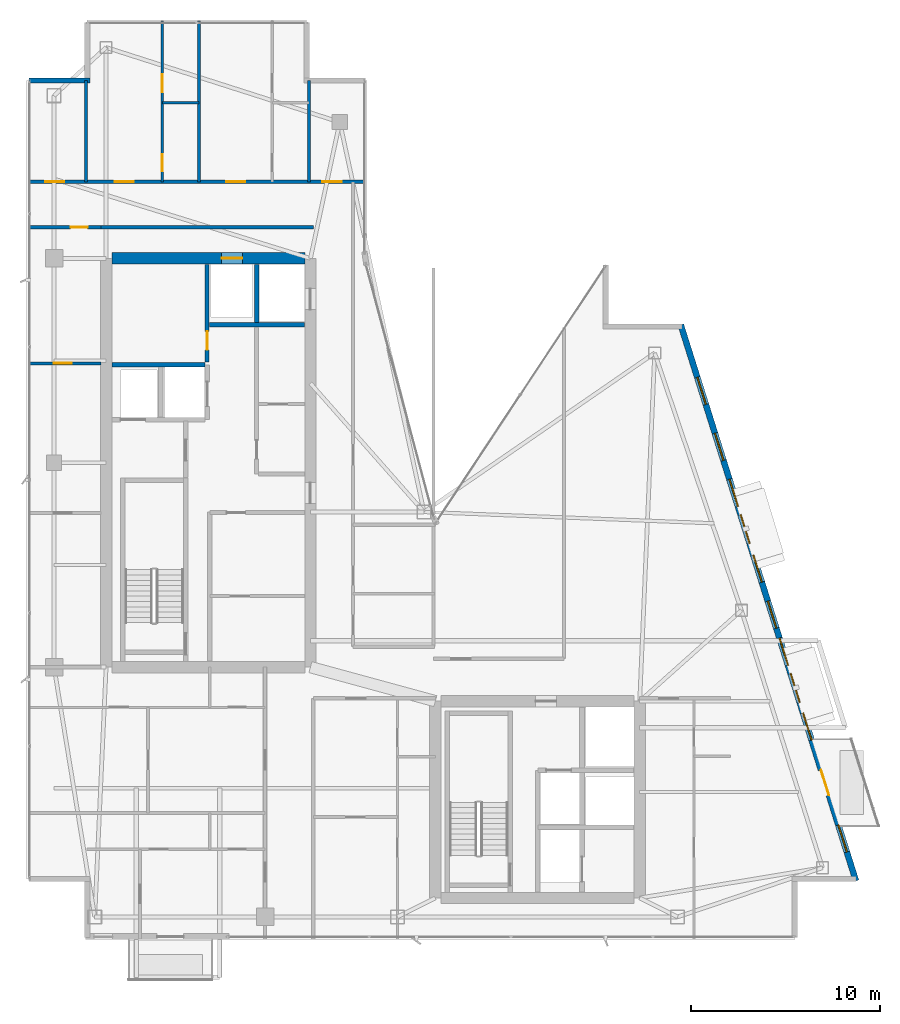
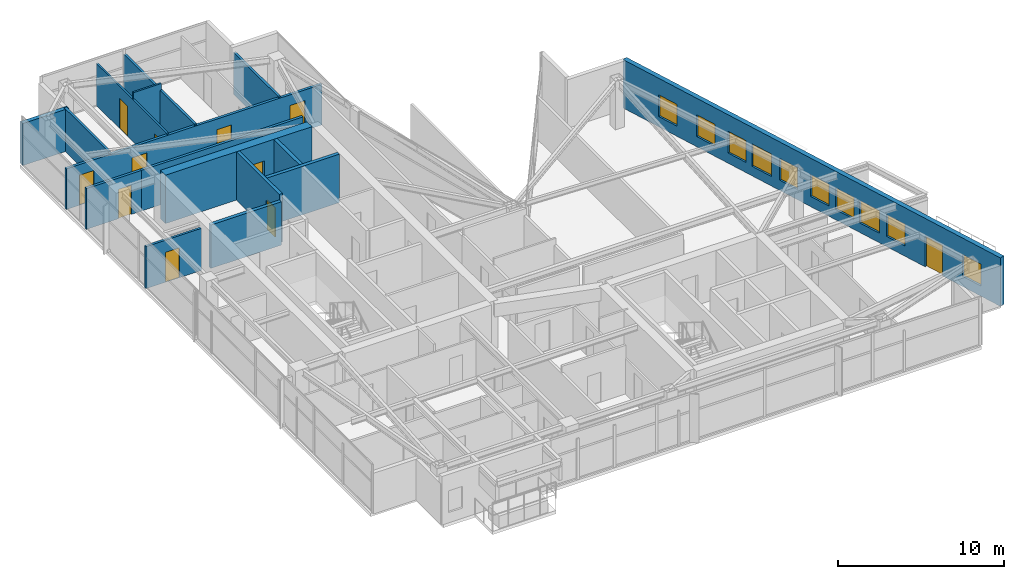
# One storey, part 25 of 28: 16 walls, 11 doors, 10 windows, 21 openings.
"""IFC4 building model written with IfcOpenShell, lengths in metres."""

from ifc_helpers import new_model, si_unit, direction, frame, frame_2d, origin, place, context, subcontext, project, spatial, rectangle, extrude, material, layer, layer_set, type_object, element, fill, save


model = new_model("IFC4")

# Units and contexts
model_context = context("Model", 3, precision=1e-05, world=origin(), true_north=direction((0.0, 1.0)))
body_context = subcontext(model_context, "Body", "Model", "MODEL_VIEW")
ifc_project = project(units=[si_unit("LENGTHUNIT", "METRE"), si_unit("AREAUNIT", "SQUARE_METRE"), si_unit("VOLUMEUNIT", "CUBIC_METRE"), si_unit("PLANEANGLEUNIT", "RADIAN"), si_unit("MASSUNIT", "GRAM", prefix="KILO")], contexts=[model_context])

# Site, building, storey
site_placement = place(None, origin())
site = spatial("IfcSite", under=ifc_project, at=site_placement, CompositionType="ELEMENT")
building_placement = place(site_placement, origin())
building = spatial("IfcBuilding", under=site, at=building_placement, Name="Calvorn Quay Hotel", CompositionType="ELEMENT")
storey_placement = place(building_placement, frame((0.0, 0.0, 267.300048828125)))
storey = spatial("IfcBuildingStorey", under=building, at=storey_placement, Name="L66", CompositionType="ELEMENT", Elevation=267.300048828125)

# Wall, opening, door
ifc_material_1 = material(Name="Concrete C45", Category="concrete")
ifc_layer_1 = layer(ifc_material_1, 0.60009765625)
ifc_layer_set_1 = layer_set([ifc_layer_1], Name="WL-CORE-600")
wall_type_1 = type_object("IfcWallType", Name="WL-CORE-600", PredefinedType="SHEAR", material=ifc_layer_set_1)
wall_1_placement = place(storey_placement, frame((4.5, 38.39990234375, 0.0), z_axis=(0.0, 0.0, 1.0), x_axis=(1.0, 0.0, 0.0)))
wall_1 = element("IfcWall", 1, at=wall_1_placement, inside=storey, type_object=wall_type_1, Name="West Core Shear Wall N (L66)", PredefinedType="SHEAR", context=body_context, shape_type="SweptSolid", body=[
    extrude(rectangle(XDim=10.199951171875, YDim=0.60009765625, at=frame_2d((5.10009765625, 0.0))), origin(), (0.0, 0.0, 1.0), 3.56005859375),
])
opening_1_placement = place(wall_1_placement, frame((5.800048828125, 0.0, 0.0)))
opening_1 = element("IfcOpeningElement", 2, at=opening_1_placement, cuts=wall_1, Name="Opening LD-L66-H2", PredefinedType="OPENING", context=body_context, shape_type="SweptSolid", body=[
    extrude(rectangle(XDim=1.10009765625, YDim=2.199951171875, at=frame_2d((0.550048828125, 1.10009765625))), frame((0.0, 0.31005859375, 0.0), z_axis=(0.0, -1.0, 0.0), x_axis=(1.0, 0.0, 0.0)), (0.0, 0.0, 1.0), 0.6201171875),
])
ifc_material_2 = material(Name="Brushed Stainless Steel Sliding Lift Landing Door", Category="steel")
door_type_1 = type_object("IfcDoorType", Name="DR-LIFT-PASS-1100", OperationType="NOTDEFINED", PredefinedType="DOOR", material=ifc_material_2)
door_1_placement = place(opening_1_placement, origin())
door_1 = element("IfcDoor", 3, at=door_1_placement, inside=storey, type_object=door_type_1, Name="High-Rise Lift PL-H2 Landing Door (L66)", OperationType="DOUBLE_DOOR_SLIDING", OverallHeight=2.199951171875, OverallWidth=1.10009765625, PredefinedType="DOOR", context=body_context, shape_type="SweptSolid", body=[
    extrude(rectangle(XDim=1.10009765625, YDim=2.199951171875, at=frame_2d((0.550048828125, 1.10009765625))), frame((0.0, 0.02490234375, 0.0), z_axis=(0.0, -1.0, 0.0), x_axis=(1.0, 0.0, 0.0)), (0.0, 0.0, 1.0), 0.050048828125),
])
fill(opening_1, door_1)

ifc_material_3 = material(Name="Acoustic Fireboard Steel-Stud Partition", Category="steel")
ifc_layer_2 = layer(ifc_material_3, 0.179931640625)
ifc_layer_set_2 = layer_set([ifc_layer_2], Name="WL-CORR-FIRE-180")
wall_type_2 = type_object("IfcWallType", Name="WL-CORR-FIRE-180", PredefinedType="PARTITIONING", material=ifc_layer_set_2)
wall_2_placement = place(storey_placement, frame((0.080078125, 40.050048828125, 0.0), z_axis=(0.0, 0.0, 1.0), x_axis=(1.0, 0.0, 0.0)))
wall_2 = element("IfcWall", 4, at=wall_2_placement, inside=storey, type_object=wall_type_2, Name="Partition Wall L66-WL-WBAY-N-DOOR", PredefinedType="PARTITIONING", context=body_context, shape_type="SweptSolid", body=[
    extrude(rectangle(XDim=3.849853515625, YDim=0.179931640625, at=frame_2d((1.9248046875, 0.0))), origin(), (0.0, 0.0, 1.0), 2.989990234375),
])
opening_2_placement = place(wall_2_placement, frame((2.25, 0.0, 0.0)))
opening_2 = element("IfcOpeningElement", 5, at=opening_2_placement, cuts=wall_2, Name="Opening D-L66-WBN", PredefinedType="OPENING", context=body_context, shape_type="SweptSolid", body=[
    extrude(rectangle(XDim=0.89990234375, YDim=2.14990234375, at=frame_2d((0.449951171875, 1.074951171875))), frame((0.0, 0.099853515625, 0.0), z_axis=(0.0, -1.0, 0.0), x_axis=(1.0, 0.0, 0.0)), (0.0, 0.0, 1.0), 0.199951171875),
])
ifc_material_4 = material(Name="Moisture-Sealed Timber En-Suite Door", Category="wood")
door_type_2 = type_object("IfcDoorType", Name="DR-ENSUITE-900", OperationType="NOTDEFINED", PredefinedType="DOOR", material=ifc_material_4)
door_2_placement = place(opening_2_placement, origin())
door_2 = element("IfcDoor", 6, at=door_2_placement, inside=storey, type_object=door_type_2, Name="West North Bay Door (L66)", OperationType="SINGLE_SWING_LEFT", OverallHeight=2.14990234375, OverallWidth=0.89990234375, PredefinedType="DOOR", context=body_context, shape_type="SweptSolid", body=[
    extrude(rectangle(XDim=0.89990234375, YDim=2.14990234375, at=frame_2d((0.449951171875, 1.074951171875))), frame((0.0, 0.02490234375, 0.0), z_axis=(0.0, -1.0, 0.0), x_axis=(1.0, 0.0, 0.0)), (0.0, 0.0, 1.0), 0.050048828125),
])
fill(opening_2, door_2)

# Wall, openings, doors
wall_3_placement = place(storey_placement, frame((0.080078125, 42.449951171875, 0.0), z_axis=(0.0, 0.0, 1.0), x_axis=(1.0, 0.0, 0.0)))
wall_3 = element("IfcWall", 7, at=wall_3_placement, inside=storey, type_object=wall_type_2, Name="Partition Wall L66-WL-CORR-NW-N", PredefinedType="PARTITIONING", context=body_context, shape_type="SweptSolid", body=[
    extrude(rectangle(XDim=17.77001953125, YDim=0.179931640625, at=frame_2d((8.885009765625, 0.0))), origin(), (0.0, 0.0, 1.0), 2.989990234375),
])
opening_3_placement = place(wall_3_placement, frame((0.89990234375, 0.0, 0.0)))
opening_3 = element("IfcOpeningElement", 8, at=opening_3_placement, cuts=wall_3, Name="Opening D-L66-NWW", PredefinedType="OPENING", context=body_context, shape_type="SweptSolid", body=[
    extrude(rectangle(XDim=1.02001953125, YDim=2.199951171875, at=frame_2d((0.510009765625, 1.10009765625))), frame((0.0, 0.099853515625, 0.0), z_axis=(0.0, -1.0, 0.0), x_axis=(1.0, 0.0, 0.0)), (0.0, 0.0, 1.0), 0.199951171875),
])
opening_4_placement = place(wall_3_placement, frame((4.570068359375, 0.0, 0.0)))
opening_4 = element("IfcOpeningElement", 9, at=opening_4_placement, cuts=wall_3, Name="Opening D-L66-U04", PredefinedType="OPENING", context=body_context, shape_type="SweptSolid", body=[
    extrude(rectangle(XDim=1.02001953125, YDim=2.199951171875, at=frame_2d((0.510009765625, 1.10009765625))), frame((0.0, 0.099853515625, 0.0), z_axis=(0.0, -1.0, 0.0), x_axis=(1.0, 0.0, 0.0)), (0.0, 0.0, 1.0), 0.199951171875),
])
opening_5_placement = place(wall_3_placement, frame((10.4599609375, 0.0, 0.0)))
opening_5 = element("IfcOpeningElement", 10, at=opening_5_placement, cuts=wall_3, Name="Opening D-L66-U05", PredefinedType="OPENING", context=body_context, shape_type="SweptSolid", body=[
    extrude(rectangle(XDim=1.02001953125, YDim=2.199951171875, at=frame_2d((0.510009765625, 1.10009765625))), frame((0.0, 0.099853515625, 0.0), z_axis=(0.0, -1.0, 0.0), x_axis=(1.0, 0.0, 0.0)), (0.0, 0.0, 1.0), 0.199951171875),
])
opening_6_placement = place(wall_3_placement, frame((15.550048828125, 0.0, 0.0)))
opening_6 = element("IfcOpeningElement", 11, at=opening_6_placement, cuts=wall_3, Name="Opening D-L66-NWE", PredefinedType="OPENING", context=body_context, shape_type="SweptSolid", body=[
    extrude(rectangle(XDim=1.02001953125, YDim=2.199951171875, at=frame_2d((0.510009765625, 1.10009765625))), frame((0.0, 0.099853515625, 0.0), z_axis=(0.0, -1.0, 0.0), x_axis=(1.0, 0.0, 0.0)), (0.0, 0.0, 1.0), 0.199951171875),
])
ifc_material_5 = material(Name="Solid-Core Walnut Veneer Hotel Fire Door")
door_type_3 = type_object("IfcDoorType", Name="DR-GUEST-ENTRY-1020", OperationType="NOTDEFINED", PredefinedType="DOOR", material=ifc_material_5)
door_3_placement = place(opening_3_placement, origin())
door_3 = element("IfcDoor", 12, at=door_3_placement, inside=storey, type_object=door_type_3, Name="West Corner Study Door (L66)", OperationType="SINGLE_SWING_LEFT", OverallHeight=2.199951171875, OverallWidth=1.02001953125, PredefinedType="DOOR", context=body_context, shape_type="SweptSolid", body=[
    extrude(rectangle(XDim=1.02001953125, YDim=2.199951171875, at=frame_2d((0.510009765625, 1.10009765625))), frame((0.0, 0.02490234375, 0.0), z_axis=(0.0, -1.0, 0.0), x_axis=(1.0, 0.0, 0.0)), (0.0, 0.0, 1.0), 0.050048828125),
])
fill(opening_3, door_3)
door_4_placement = place(opening_4_placement, origin())
door_4 = element("IfcDoor", 13, at=door_4_placement, inside=storey, type_object=door_type_3, Name="North-West Unit Door U04 (L66)", OperationType="SINGLE_SWING_RIGHT", OverallHeight=2.199951171875, OverallWidth=1.02001953125, PredefinedType="DOOR", context=body_context, shape_type="SweptSolid", body=[
    extrude(rectangle(XDim=1.02001953125, YDim=2.199951171875, at=frame_2d((0.510009765625, 1.10009765625))), frame((0.0, 0.02490234375, 0.0), z_axis=(0.0, -1.0, 0.0), x_axis=(1.0, 0.0, 0.0)), (0.0, 0.0, 1.0), 0.050048828125),
])
fill(opening_4, door_4)
door_5_placement = place(opening_5_placement, origin())
door_5 = element("IfcDoor", 14, at=door_5_placement, inside=storey, type_object=door_type_3, Name="North-West Unit Door U05 (L66)", OperationType="SINGLE_SWING_LEFT", OverallHeight=2.199951171875, OverallWidth=1.02001953125, PredefinedType="DOOR", context=body_context, shape_type="SweptSolid", body=[
    extrude(rectangle(XDim=1.02001953125, YDim=2.199951171875, at=frame_2d((0.510009765625, 1.10009765625))), frame((0.0, 0.02490234375, 0.0), z_axis=(0.0, -1.0, 0.0), x_axis=(1.0, 0.0, 0.0)), (0.0, 0.0, 1.0), 0.050048828125),
])
fill(opening_5, door_5)
door_6_placement = place(opening_6_placement, origin())
door_6 = element("IfcDoor", 15, at=door_6_placement, inside=storey, type_object=door_type_3, Name="Inner Court Study Door (L66)", OperationType="SINGLE_SWING_RIGHT", OverallHeight=2.199951171875, OverallWidth=1.02001953125, PredefinedType="DOOR", context=body_context, shape_type="SweptSolid", body=[
    extrude(rectangle(XDim=1.02001953125, YDim=2.199951171875, at=frame_2d((0.510009765625, 1.10009765625))), frame((0.0, 0.02490234375, 0.0), z_axis=(0.0, -1.0, 0.0), x_axis=(1.0, 0.0, 0.0)), (0.0, 0.0, 1.0), 0.050048828125),
])
fill(opening_6, door_6)

# Walls
wall_4_placement = place(storey_placement, frame((3.8798828125, 40.050048828125, 0.0), z_axis=(0.0, 0.0, 1.0), x_axis=(1.0, 0.0, 0.0)))
element("IfcWall", 16, at=wall_4_placement, inside=storey, type_object=wall_type_2, Name="Partition Wall L66-WL-W-SPUR-S", PredefinedType="PARTITIONING", context=body_context, shape_type="SweptSolid", body=[
    extrude(rectangle(XDim=11.27001953125, YDim=0.179931640625, at=frame_2d((5.635009765625, 0.0))), origin(), (0.0, 0.0, 1.0), 2.989990234375),
])
ifc_material_6 = material(Name="Moisture-Resistant Tile-Backed Partition")
ifc_layer_3 = layer(ifc_material_6, 0.125)
ifc_layer_set_3 = layer_set([ifc_layer_3], Name="WL-ENSUITE-125")
wall_type_3 = type_object("IfcWallType", Name="WL-ENSUITE-125", PredefinedType="PARTITIONING", material=ifc_layer_set_3)
wall_5_placement = place(storey_placement, frame((7.169921875, 46.6201171875, 0.0), z_axis=(0.0, 0.0, 1.0), x_axis=(1.0, 0.0, 0.0)))
element("IfcWall", 17, at=wall_5_placement, inside=storey, type_object=wall_type_3, Name="Partition Wall L66-WL-U04-BDV", PredefinedType="PARTITIONING", context=body_context, shape_type="SweptSolid", body=[
    extrude(rectangle(XDim=1.93017578125, YDim=0.125, at=frame_2d((0.965087890625, 0.0))), origin(), (0.0, 0.0, 1.0), 3.56005859375),
])

# Wall, openings, doors
wall_6_placement = place(storey_placement, frame((7.169921875, 42.449951171875, 0.0), z_axis=(0.0, 0.0, 1.0), x_axis=(0.0, 1.0, 0.0)))
wall_6 = element("IfcWall", 18, at=wall_6_placement, inside=storey, type_object=wall_type_3, Name="Partition Wall L66-WL-U04-BV", PredefinedType="PARTITIONING", context=body_context, shape_type="SweptSolid", body=[
    extrude(rectangle(XDim=8.489990234375, YDim=0.125, at=frame_2d((4.2451171875, 0.0))), origin(), (0.0, 0.0, 1.0), 3.08984375),
])
opening_7_placement = place(wall_6_placement, frame((0.550048828125, 0.0, 0.0)))
opening_7 = element("IfcOpeningElement", 19, at=opening_7_placement, cuts=wall_6, Name="Opening D-L66-E04", PredefinedType="OPENING", context=body_context, shape_type="SweptSolid", body=[
    extrude(rectangle(XDim=0.89990234375, YDim=2.14990234375, at=frame_2d((0.449951171875, 1.074951171875))), frame((0.0, 0.072509765625, 0.0), z_axis=(0.0, -1.0, 0.0), x_axis=(1.0, 0.0, 0.0)), (0.0, 0.0, 1.0), 0.14501953125),
])
opening_8_placement = place(wall_6_placement, frame((4.719970703125, 0.0, 0.0)))
opening_8 = element("IfcOpeningElement", 20, at=opening_8_placement, cuts=wall_6, Name="Opening D-L66-S04", PredefinedType="OPENING", context=body_context, shape_type="SweptSolid", body=[
    extrude(rectangle(XDim=0.9599609375, YDim=2.199951171875, at=frame_2d((0.47998046875, 1.10009765625))), frame((0.0, 0.072509765625, 0.0), z_axis=(0.0, -1.0, 0.0), x_axis=(1.0, 0.0, 0.0)), (0.0, 0.0, 1.0), 0.14501953125),
])
door_7_placement = place(opening_7_placement, origin())
door_7 = element("IfcDoor", 21, at=door_7_placement, inside=storey, type_object=door_type_2, Name="En-Suite Door 04", OperationType="SINGLE_SWING_LEFT", OverallHeight=2.14990234375, OverallWidth=0.89990234375, PredefinedType="DOOR", context=body_context, shape_type="SweptSolid", body=[
    extrude(rectangle(XDim=0.89990234375, YDim=2.14990234375, at=frame_2d((0.449951171875, 1.074951171875))), frame((0.0, 0.02490234375, 0.0), z_axis=(0.0, -1.0, 0.0), x_axis=(1.0, 0.0, 0.0)), (0.0, 0.0, 1.0), 0.050048828125),
])
fill(opening_7, door_7)
ifc_material_7 = material(Name="Solid Timber Internal Suite Door", Category="wood")
door_type_4 = type_object("IfcDoorType", Name="DR-SUITE-INT-960", OperationType="NOTDEFINED", PredefinedType="DOOR", material=ifc_material_7)
door_8_placement = place(opening_8_placement, origin())
door_8 = element("IfcDoor", 22, at=door_8_placement, inside=storey, type_object=door_type_4, Name="Harbour Dining Den Door 04", OperationType="SINGLE_SWING_RIGHT", OverallHeight=2.199951171875, OverallWidth=0.9599609375, PredefinedType="DOOR", context=body_context, shape_type="SweptSolid", body=[
    extrude(rectangle(XDim=0.9599609375, YDim=2.199951171875, at=frame_2d((0.47998046875, 1.10009765625))), frame((0.0, 0.02490234375, 0.0), z_axis=(0.0, -1.0, 0.0), x_axis=(1.0, 0.0, 0.0)), (0.0, 0.0, 1.0), 0.050048828125),
])
fill(opening_8, door_8)

# Wall
ifc_material_8 = material(Name="Concrete C40", Category="concrete")
ifc_layer_4 = layer(ifc_material_8, 0.320068359375)
ifc_layer_set_4 = layer_set([ifc_layer_4], Name="WL-EXT-SPANDREL-320")
wall_type_4 = type_object("IfcWallType", Name="WL-EXT-SPANDREL-320", PredefinedType="SOLIDWALL", material=ifc_layer_set_4)
wall_7_placement = place(storey_placement, frame((3.340087890625, 47.800048828125, 0.0), z_axis=(0.0, 0.0, 1.0), x_axis=(-1.0, 0.0, 0.0)))
element("IfcWall", 23, at=wall_7_placement, inside=storey, type_object=wall_type_4, Name="Notched Corner Spandrel L66-NW2", PredefinedType="SOLIDWALL", context=body_context, shape_type="SweptSolid", body=[
    extrude(rectangle(XDim=3.219970703125, YDim=0.280029296875, at=frame_2d((1.60986328125, 0.0))), origin(), (0.0, 0.0, 1.0), 3.08984375),
])

# Wall, openings, door, windows
wall_8_placement = place(storey_placement, frame((43.830078125, 5.5048828125, 0.0), z_axis=(0.0, 0.0, 1.0), x_axis=(-0.300509063924, 0.953778958931, 0.0)))
wall_8 = element("IfcWall", 24, at=wall_8_placement, inside=storey, type_object=wall_type_4, Name="East Stepped Waterfront Exterior Wall (L66)", PredefinedType="SOLIDWALL", context=body_context, shape_type="SweptSolid", body=[
    extrude(rectangle(XDim=30.814453125, YDim=0.320068359375, at=frame_2d((15.4072265625, 0.0))), origin(), (0.0, 0.0, 1.0), 3.56005859375),
])
opening_9_placement = place(wall_8_placement, frame((4.7470703125, 0.0, 0.0)))
opening_9 = element("IfcOpeningElement", 25, at=opening_9_placement, cuts=wall_8, Name="Opening DB-L66-1", PredefinedType="OPENING", context=body_context, shape_type="SweptSolid", body=[
    extrude(rectangle(XDim=1.39990234375, YDim=2.25, at=frame_2d((0.699951171875, 1.125))), frame((0.0, 0.169921875, 0.0), z_axis=(0.0, -1.0, 0.0), x_axis=(1.0, 0.0, 0.0)), (0.0, 0.0, 1.0), 0.340087890625),
])
opening_10_placement = place(wall_8_placement, frame((9.888916015625, 0.0, 0.699951171875)))
opening_10 = element("IfcOpeningElement", 26, at=opening_10_placement, cuts=wall_8, Name="Opening WHD-L66-1", PredefinedType="OPENING", context=body_context, shape_type="SweptSolid", body=[
    extrude(rectangle(XDim=1.60009765625, YDim=1.64990234375, at=frame_2d((0.800048828125, 0.824951171875))), frame((0.0, 0.169921875, 0.0), z_axis=(0.0, -1.0, 0.0), x_axis=(1.0, 0.0, 0.0)), (0.0, 0.0, 1.0), 0.340087890625),
])
opening_11_placement = place(wall_8_placement, frame((18.696044921875, 0.0, 0.699951171875)))
opening_11 = element("IfcOpeningElement", 27, at=opening_11_placement, cuts=wall_8, Name="Opening WHD-L66-2", PredefinedType="OPENING", context=body_context, shape_type="SweptSolid", body=[
    extrude(rectangle(XDim=1.60009765625, YDim=1.64990234375, at=frame_2d((0.800048828125, 0.824951171875))), frame((0.0, 0.169921875, 0.0), z_axis=(0.0, -1.0, 0.0), x_axis=(1.0, 0.0, 0.0)), (0.0, 0.0, 1.0), 0.340087890625),
])
opening_12_placement = place(wall_8_placement, frame((1.60009765625, 0.0, 0.75)))
opening_12 = element("IfcOpeningElement", 28, at=opening_12_placement, cuts=wall_8, Name="Opening WG-L66-E1", PredefinedType="OPENING", context=body_context, shape_type="SweptSolid", body=[
    extrude(rectangle(XDim=1.5, YDim=1.60009765625, at=frame_2d((0.75, 0.800048828125))), frame((0.0, 0.169921875, 0.0), z_axis=(0.0, -1.0, 0.0), x_axis=(1.0, 0.0, 0.0)), (0.0, 0.0, 1.0), 0.340087890625),
])
opening_13_placement = place(wall_8_placement, frame((7.800048828125, 0.0, 0.75)))
opening_13 = element("IfcOpeningElement", 29, at=opening_13_placement, cuts=wall_8, Name="Opening WG-L66-E2", PredefinedType="OPENING", context=body_context, shape_type="SweptSolid", body=[
    extrude(rectangle(XDim=1.5, YDim=1.60009765625, at=frame_2d((0.75, 0.800048828125))), frame((0.0, 0.169921875, 0.0), z_axis=(0.0, -1.0, 0.0), x_axis=(1.0, 0.0, 0.0)), (0.0, 0.0, 1.0), 0.340087890625),
])
opening_14_placement = place(wall_8_placement, frame((11.949951171875, 0.0, 0.75)))
opening_14 = element("IfcOpeningElement", 30, at=opening_14_placement, cuts=wall_8, Name="Opening WG-L66-E3", PredefinedType="OPENING", context=body_context, shape_type="SweptSolid", body=[
    extrude(rectangle(XDim=1.5, YDim=1.60009765625, at=frame_2d((0.75, 0.800048828125))), frame((0.0, 0.169921875, 0.0), z_axis=(0.0, -1.0, 0.0), x_axis=(1.0, 0.0, 0.0)), (0.0, 0.0, 1.0), 0.340087890625),
])
opening_15_placement = place(wall_8_placement, frame((14.0, 0.0, 0.75)))
opening_15 = element("IfcOpeningElement", 31, at=opening_15_placement, cuts=wall_8, Name="Opening WG-L66-E4", PredefinedType="OPENING", context=body_context, shape_type="SweptSolid", body=[
    extrude(rectangle(XDim=1.5, YDim=1.60009765625, at=frame_2d((0.75, 0.800048828125))), frame((0.0, 0.169921875, 0.0), z_axis=(0.0, -1.0, 0.0), x_axis=(1.0, 0.0, 0.0)), (0.0, 0.0, 1.0), 0.340087890625),
])
opening_16_placement = place(wall_8_placement, frame((16.550048828125, 0.0, 0.75)))
opening_16 = element("IfcOpeningElement", 32, at=opening_16_placement, cuts=wall_8, Name="Opening WG-L66-E5", PredefinedType="OPENING", context=body_context, shape_type="SweptSolid", body=[
    extrude(rectangle(XDim=1.5, YDim=1.60009765625, at=frame_2d((0.75, 0.800048828125))), frame((0.0, 0.169921875, 0.0), z_axis=(0.0, -1.0, 0.0), x_axis=(1.0, 0.0, 0.0)), (0.0, 0.0, 1.0), 0.340087890625),
])
opening_17_placement = place(wall_8_placement, frame((20.75, 0.0, 0.75)))
opening_17 = element("IfcOpeningElement", 33, at=opening_17_placement, cuts=wall_8, Name="Opening WG-L66-E6", PredefinedType="OPENING", context=body_context, shape_type="SweptSolid", body=[
    extrude(rectangle(XDim=1.5, YDim=1.60009765625, at=frame_2d((0.75, 0.800048828125))), frame((0.0, 0.169921875, 0.0), z_axis=(0.0, -1.0, 0.0), x_axis=(1.0, 0.0, 0.0)), (0.0, 0.0, 1.0), 0.340087890625),
])
opening_18_placement = place(wall_8_placement, frame((23.300048828125, 0.0, 0.75)))
opening_18 = element("IfcOpeningElement", 34, at=opening_18_placement, cuts=wall_8, Name="Opening WG-L66-E7", PredefinedType="OPENING", context=body_context, shape_type="SweptSolid", body=[
    extrude(rectangle(XDim=1.5, YDim=1.60009765625, at=frame_2d((0.75, 0.800048828125))), frame((0.0, 0.169921875, 0.0), z_axis=(0.0, -1.0, 0.0), x_axis=(1.0, 0.0, 0.0)), (0.0, 0.0, 1.0), 0.340087890625),
])
opening_19_placement = place(wall_8_placement, frame((26.39990234375, 0.0, 0.75)))
opening_19 = element("IfcOpeningElement", 35, at=opening_19_placement, cuts=wall_8, Name="Opening WG-L66-E8", PredefinedType="OPENING", context=body_context, shape_type="SweptSolid", body=[
    extrude(rectangle(XDim=1.5, YDim=1.60009765625, at=frame_2d((0.75, 0.800048828125))), frame((0.0, 0.169921875, 0.0), z_axis=(0.0, -1.0, 0.0), x_axis=(1.0, 0.0, 0.0)), (0.0, 0.0, 1.0), 0.340087890625),
])
ifc_material_9 = material(Name="Typhoon-Rated Low-E Aluminium Terrace Door", Category="aluminium")
door_type_5 = type_object("IfcDoorType", Name="DR-BALCONY-GLZ-1400", OperationType="NOTDEFINED", PredefinedType="DOOR", material=ifc_material_9)
door_9_placement = place(opening_9_placement, origin())
door_9 = element("IfcDoor", 36, at=door_9_placement, inside=storey, type_object=door_type_5, Name="Tree Balcony Terrace Door L66-BALC-E", OperationType="SINGLE_SWING_LEFT", OverallHeight=2.25, OverallWidth=1.39990234375, PredefinedType="DOOR", context=body_context, shape_type="SweptSolid", body=[
    extrude(rectangle(XDim=1.39990234375, YDim=2.25, at=frame_2d((0.699951171875, 1.125))), frame((0.0, 0.02490234375, 0.0), z_axis=(0.0, -1.0, 0.0), x_axis=(1.0, 0.0, 0.0)), (0.0, 0.0, 1.0), 0.050048828125),
])
fill(opening_9, door_9)
ifc_material_10 = material(Name="Champagne-Bronze Aluminium Low-E Window", Category="aluminium")
window_type_1 = type_object("IfcWindowType", Name="WIN-GUEST-SIDE-1600x2100", PartitioningType="SINGLE_PANEL", PredefinedType="WINDOW", material=ifc_material_10)
window_1_placement = place(opening_10_placement, origin())
window_1 = element("IfcWindow", 37, at=window_1_placement, inside=storey, type_object=window_type_1, Name="Bay Hood Window L66-HOOD-2", OverallHeight=1.64990234375, OverallWidth=1.60009765625, PartitioningType="SINGLE_PANEL", PredefinedType="WINDOW", context=body_context, shape_type="SweptSolid", body=[
    extrude(rectangle(XDim=1.60009765625, YDim=1.64990234375, at=frame_2d((0.800048828125, 0.824951171875))), frame((0.0, 0.030029296875, 0.0), z_axis=(0.0, -1.0, 0.0), x_axis=(1.0, 0.0, 0.0)), (0.0, 0.0, 1.0), 0.06005859375),
])
fill(opening_10, window_1)
window_2_placement = place(opening_11_placement, origin())
window_2 = element("IfcWindow", 38, at=window_2_placement, inside=storey, type_object=window_type_1, Name="Bay Hood Window L66-HOOD-3", OverallHeight=1.64990234375, OverallWidth=1.60009765625, PartitioningType="SINGLE_PANEL", PredefinedType="WINDOW", context=body_context, shape_type="SweptSolid", body=[
    extrude(rectangle(XDim=1.60009765625, YDim=1.64990234375, at=frame_2d((0.800048828125, 0.824951171875))), frame((0.0, 0.030029296875, 0.0), z_axis=(0.0, -1.0, 0.0), x_axis=(1.0, 0.0, 0.0)), (0.0, 0.0, 1.0), 0.06005859375),
])
fill(opening_11, window_2)
ifc_material_11 = material(Name="Self-Closing Class B Fire Window")
window_type_2 = type_object("IfcWindowType", Name="WIN-REFUGE-1500x1600", PartitioningType="SINGLE_PANEL", PredefinedType="WINDOW", material=ifc_material_11)
window_3_placement = place(opening_12_placement, origin())
window_3 = element("IfcWindow", 39, at=window_3_placement, inside=storey, type_object=window_type_2, Name="East Facade Window L66-E1", OverallHeight=1.60009765625, OverallWidth=1.5, PartitioningType="SINGLE_PANEL", PredefinedType="WINDOW", context=body_context, shape_type="SweptSolid", body=[
    extrude(rectangle(XDim=1.5, YDim=1.60009765625, at=frame_2d((0.75, 0.800048828125))), frame((0.0, 0.030029296875, 0.0), z_axis=(0.0, -1.0, 0.0), x_axis=(1.0, 0.0, 0.0)), (0.0, 0.0, 1.0), 0.06005859375),
])
fill(opening_12, window_3)
window_4_placement = place(opening_13_placement, origin())
window_4 = element("IfcWindow", 40, at=window_4_placement, inside=storey, type_object=window_type_2, Name="East Facade Window L66-E2", OverallHeight=1.60009765625, OverallWidth=1.5, PartitioningType="SINGLE_PANEL", PredefinedType="WINDOW", context=body_context, shape_type="SweptSolid", body=[
    extrude(rectangle(XDim=1.5, YDim=1.60009765625, at=frame_2d((0.75, 0.800048828125))), frame((0.0, 0.030029296875, 0.0), z_axis=(0.0, -1.0, 0.0), x_axis=(1.0, 0.0, 0.0)), (0.0, 0.0, 1.0), 0.06005859375),
])
fill(opening_13, window_4)
window_5_placement = place(opening_14_placement, origin())
window_5 = element("IfcWindow", 41, at=window_5_placement, inside=storey, type_object=window_type_2, Name="East Facade Window L66-E3", OverallHeight=1.60009765625, OverallWidth=1.5, PartitioningType="SINGLE_PANEL", PredefinedType="WINDOW", context=body_context, shape_type="SweptSolid", body=[
    extrude(rectangle(XDim=1.5, YDim=1.60009765625, at=frame_2d((0.75, 0.800048828125))), frame((0.0, 0.030029296875, 0.0), z_axis=(0.0, -1.0, 0.0), x_axis=(1.0, 0.0, 0.0)), (0.0, 0.0, 1.0), 0.06005859375),
])
fill(opening_14, window_5)
window_6_placement = place(opening_15_placement, origin())
window_6 = element("IfcWindow", 42, at=window_6_placement, inside=storey, type_object=window_type_2, Name="East Facade Window L66-E4", OverallHeight=1.60009765625, OverallWidth=1.5, PartitioningType="SINGLE_PANEL", PredefinedType="WINDOW", context=body_context, shape_type="SweptSolid", body=[
    extrude(rectangle(XDim=1.5, YDim=1.60009765625, at=frame_2d((0.75, 0.800048828125))), frame((0.0, 0.030029296875, 0.0), z_axis=(0.0, -1.0, 0.0), x_axis=(1.0, 0.0, 0.0)), (0.0, 0.0, 1.0), 0.06005859375),
])
fill(opening_15, window_6)
window_7_placement = place(opening_16_placement, origin())
window_7 = element("IfcWindow", 43, at=window_7_placement, inside=storey, type_object=window_type_2, Name="East Facade Window L66-E5", OverallHeight=1.60009765625, OverallWidth=1.5, PartitioningType="SINGLE_PANEL", PredefinedType="WINDOW", context=body_context, shape_type="SweptSolid", body=[
    extrude(rectangle(XDim=1.5, YDim=1.60009765625, at=frame_2d((0.75, 0.800048828125))), frame((0.0, 0.030029296875, 0.0), z_axis=(0.0, -1.0, 0.0), x_axis=(1.0, 0.0, 0.0)), (0.0, 0.0, 1.0), 0.06005859375),
])
fill(opening_16, window_7)
window_8_placement = place(opening_17_placement, origin())
window_8 = element("IfcWindow", 44, at=window_8_placement, inside=storey, type_object=window_type_2, Name="East Facade Window L66-E6", OverallHeight=1.60009765625, OverallWidth=1.5, PartitioningType="SINGLE_PANEL", PredefinedType="WINDOW", context=body_context, shape_type="SweptSolid", body=[
    extrude(rectangle(XDim=1.5, YDim=1.60009765625, at=frame_2d((0.75, 0.800048828125))), frame((0.0, 0.030029296875, 0.0), z_axis=(0.0, -1.0, 0.0), x_axis=(1.0, 0.0, 0.0)), (0.0, 0.0, 1.0), 0.06005859375),
])
fill(opening_17, window_8)
window_9_placement = place(opening_18_placement, origin())
window_9 = element("IfcWindow", 45, at=window_9_placement, inside=storey, type_object=window_type_2, Name="East Facade Window L66-E7", OverallHeight=1.60009765625, OverallWidth=1.5, PartitioningType="SINGLE_PANEL", PredefinedType="WINDOW", context=body_context, shape_type="SweptSolid", body=[
    extrude(rectangle(XDim=1.5, YDim=1.60009765625, at=frame_2d((0.75, 0.800048828125))), frame((0.0, 0.030029296875, 0.0), z_axis=(0.0, -1.0, 0.0), x_axis=(1.0, 0.0, 0.0)), (0.0, 0.0, 1.0), 0.06005859375),
])
fill(opening_18, window_9)
window_10_placement = place(opening_19_placement, origin())
window_10 = element("IfcWindow", 46, at=window_10_placement, inside=storey, type_object=window_type_2, Name="East Facade Window L66-E8", OverallHeight=1.60009765625, OverallWidth=1.5, PartitioningType="SINGLE_PANEL", PredefinedType="WINDOW", context=body_context, shape_type="SweptSolid", body=[
    extrude(rectangle(XDim=1.5, YDim=1.60009765625, at=frame_2d((0.75, 0.800048828125))), frame((0.0, 0.030029296875, 0.0), z_axis=(0.0, -1.0, 0.0), x_axis=(1.0, 0.0, 0.0)), (0.0, 0.0, 1.0), 0.06005859375),
])
fill(opening_19, window_10)

# Wall, opening, door
ifc_material_12 = material(Name="Double-Stud Acoustic Gypsum Partition")
ifc_layer_5 = layer(ifc_material_12, 0.159912109375)
ifc_layer_set_5 = layer_set([ifc_layer_5], Name="WL-INTERSUITE-160")
wall_type_5 = type_object("IfcWallType", Name="WL-INTERSUITE-160", PredefinedType="PARTITIONING", material=ifc_layer_set_5)
wall_9_placement = place(storey_placement, frame((0.080078125, 32.85009765625, 0.0), z_axis=(0.0, 0.0, 1.0), x_axis=(1.0, 0.0, 0.0)))
wall_9 = element("IfcWall", 47, at=wall_9_placement, inside=storey, type_object=wall_type_5, Name="Partition Wall L66-WL-WBAY-DIVB", PredefinedType="PARTITIONING", context=body_context, shape_type="SweptSolid", body=[
    extrude(rectangle(XDim=3.849853515625, YDim=0.159912109375, at=frame_2d((1.9248046875, 0.0))), origin(), (0.0, 0.0, 1.0), 3.08984375),
])
opening_20_placement = place(wall_9_placement, frame((1.35009765625, 0.0, 0.0)))
opening_20 = element("IfcOpeningElement", 48, at=opening_20_placement, cuts=wall_9, Name="Opening D-L66-WBB", PredefinedType="OPENING", context=body_context, shape_type="SweptSolid", body=[
    extrude(rectangle(XDim=0.9599609375, YDim=2.199951171875, at=frame_2d((0.47998046875, 1.10009765625))), frame((0.0, 0.08984375, 0.0), z_axis=(0.0, -1.0, 0.0), x_axis=(1.0, 0.0, 0.0)), (0.0, 0.0, 1.0), 0.179931640625),
])
door_10_placement = place(opening_20_placement, origin())
door_10 = element("IfcDoor", 49, at=door_10_placement, inside=storey, type_object=door_type_4, Name="West North Connecting Door (L66)", OperationType="SINGLE_SWING_RIGHT", OverallHeight=2.199951171875, OverallWidth=0.9599609375, PredefinedType="DOOR", context=body_context, shape_type="SweptSolid", body=[
    extrude(rectangle(XDim=0.9599609375, YDim=2.199951171875, at=frame_2d((0.47998046875, 1.10009765625))), frame((0.0, 0.02490234375, 0.0), z_axis=(0.0, -1.0, 0.0), x_axis=(1.0, 0.0, 0.0)), (0.0, 0.0, 1.0), 0.050048828125),
])
fill(opening_20, door_10)

# Walls
wall_10_placement = place(storey_placement, frame((3.14990234375, 42.449951171875, 0.0), z_axis=(0.0, 0.0, 1.0), x_axis=(0.0, 1.0, 0.0)))
element("IfcWall", 50, at=wall_10_placement, inside=storey, type_object=wall_type_5, Name="Partition Wall L66-WL-NW-DIV-W0", PredefinedType="PARTITIONING", context=body_context, shape_type="SweptSolid", body=[
    extrude(rectangle(XDim=5.35009765625, YDim=0.159912109375, at=frame_2d((2.675048828125, 0.0))), origin(), (0.0, 0.0, 1.0), 3.139892578125),
])
wall_11_placement = place(storey_placement, frame((14.919921875, 42.449951171875, 0.0), z_axis=(0.0, 0.0, 1.0), x_axis=(0.0, 1.0, 0.0)))
element("IfcWall", 51, at=wall_11_placement, inside=storey, type_object=wall_type_5, Name="Partition Wall L66-WL-NW-DIV-E0", PredefinedType="PARTITIONING", context=body_context, shape_type="SweptSolid", body=[
    extrude(rectangle(XDim=5.35009765625, YDim=0.159912109375, at=frame_2d((2.675048828125, 0.0))), origin(), (0.0, 0.0, 1.0), 3.08984375),
])
wall_12_placement = place(storey_placement, frame((9.10009765625, 42.449951171875, 0.0), z_axis=(0.0, 0.0, 1.0), x_axis=(0.0, 1.0, 0.0)))
element("IfcWall", 52, at=wall_12_placement, inside=storey, type_object=wall_type_5, Name="Partition Wall L66-WL-NW-DIV-1", PredefinedType="PARTITIONING", context=body_context, shape_type="SweptSolid", body=[
    extrude(rectangle(XDim=8.489990234375, YDim=0.159912109375, at=frame_2d((4.2451171875, 0.0))), origin(), (0.0, 0.0, 1.0), 3.08984375),
])

# Wall, opening, door
ifc_material_13 = material(Name="Autoclaved Aerated Masonry Block", Category="masonry")
ifc_layer_6 = layer(ifc_material_13, 0.219970703125)
ifc_layer_set_6 = layer_set([ifc_layer_6], Name="WL-LOBBY-FIRE-220")
wall_type_6 = type_object("IfcWallType", Name="WL-LOBBY-FIRE-220", PredefinedType="SOLIDWALL", material=ifc_layer_set_6)
wall_13_placement = place(storey_placement, frame((9.5400390625, 32.919921875, 0.0), z_axis=(0.0, 0.0, 1.0), x_axis=(0.0, 1.0, 0.0)))
wall_13 = element("IfcWall", 53, at=wall_13_placement, inside=storey, type_object=wall_type_6, Name="Partition Wall L66-WL-CWW-K-E", PredefinedType="SOLIDWALL", context=body_context, shape_type="SweptSolid", body=[
    extrude(rectangle(XDim=5.16015625, YDim=0.219970703125, at=frame_2d((2.580078125, 0.0))), origin(), (0.0, 0.0, 1.0), 3.56005859375),
])
opening_21_placement = place(wall_13_placement, frame((0.64990234375, 0.0, 0.0)))
opening_21 = element("IfcOpeningElement", 54, at=opening_21_placement, cuts=wall_13, Name="Opening D-L66-CK1", PredefinedType="OPENING", context=body_context, shape_type="SweptSolid", body=[
    extrude(rectangle(XDim=0.97998046875, YDim=2.14990234375, at=frame_2d((0.489990234375, 1.074951171875))), frame((0.0, 0.119873046875, 0.0), z_axis=(0.0, -1.0, 0.0), x_axis=(1.0, 0.0, 0.0)), (0.0, 0.0, 1.0), 0.239990234375),
])
ifc_material_14 = material(Name="Painted Steel Housekeeping/Riser Fire Door", Category="steel")
door_type_6 = type_object("IfcDoorType", Name="DR-SERVICE-980", OperationType="NOTDEFINED", PredefinedType="DOOR", material=ifc_material_14)
door_11_placement = place(opening_21_placement, origin())
door_11 = element("IfcDoor", 55, at=door_11_placement, inside=storey, type_object=door_type_6, Name="Core Linen Room Door (L66)", OperationType="SINGLE_SWING_LEFT", OverallHeight=2.14990234375, OverallWidth=0.97998046875, PredefinedType="DOOR", context=body_context, shape_type="SweptSolid", body=[
    extrude(rectangle(XDim=0.97998046875, YDim=2.14990234375, at=frame_2d((0.489990234375, 1.074951171875))), frame((0.0, 0.02490234375, 0.0), z_axis=(0.0, -1.0, 0.0), x_axis=(1.0, 0.0, 0.0)), (0.0, 0.0, 1.0), 0.050048828125),
])
fill(opening_21, door_11)

# Walls
ifc_material_15 = material(Name="Concrete C40", Category="concrete")
ifc_layer_7 = layer(ifc_material_15, 0.239990234375)
ifc_layer_set_7 = layer_set([ifc_layer_7], Name="WL-SHAFT-240")
wall_type_7 = type_object("IfcWallType", Name="WL-SHAFT-240", PredefinedType="SOLIDWALL", material=ifc_layer_set_7)
wall_14_placement = place(storey_placement, frame((4.52001953125, 32.780029296875, 0.0), z_axis=(0.0, 0.0, 1.0), x_axis=(1.0, 0.0, 0.0)))
element("IfcWall", 56, at=wall_14_placement, inside=storey, type_object=wall_type_7, Name="Partition Wall L66-WL-CWW-SLW-N", PredefinedType="SOLIDWALL", context=body_context, shape_type="SweptSolid", body=[
    extrude(rectangle(XDim=4.89990234375, YDim=0.239990234375, at=frame_2d((2.449951171875, 0.0))), origin(), (0.0, 0.0, 1.0), 3.18994140625),
])
wall_15_placement = place(storey_placement, frame((9.659912109375, 34.89990234375, 0.0), z_axis=(0.0, 0.0, 1.0), x_axis=(1.0, 0.0, 0.0)))
element("IfcWall", 57, at=wall_15_placement, inside=storey, type_object=wall_type_7, Name="Partition Wall L66-WL-CWW-PLH-S", PredefinedType="SOLIDWALL", context=body_context, shape_type="SweptSolid", body=[
    extrude(rectangle(XDim=5.02001953125, YDim=0.239990234375, at=frame_2d((2.510009765625, 0.0))), origin(), (0.0, 0.0, 1.0), 3.56005859375),
])
wall_16_placement = place(storey_placement, frame((12.14990234375, 35.02001953125, 0.0), z_axis=(0.0, 0.0, 1.0), x_axis=(0.0, 1.0, 0.0)))
element("IfcWall", 58, at=wall_16_placement, inside=storey, type_object=wall_type_7, Name="Partition Wall L66-WL-CWW-PLH-DIV", PredefinedType="SOLIDWALL", context=body_context, shape_type="SweptSolid", body=[
    extrude(rectangle(XDim=3.06005859375, YDim=0.239990234375, at=frame_2d((1.530029296875, 0.0))), origin(), (0.0, 0.0, 1.0), 3.56005859375),
])

save(model, "model.ifc")
